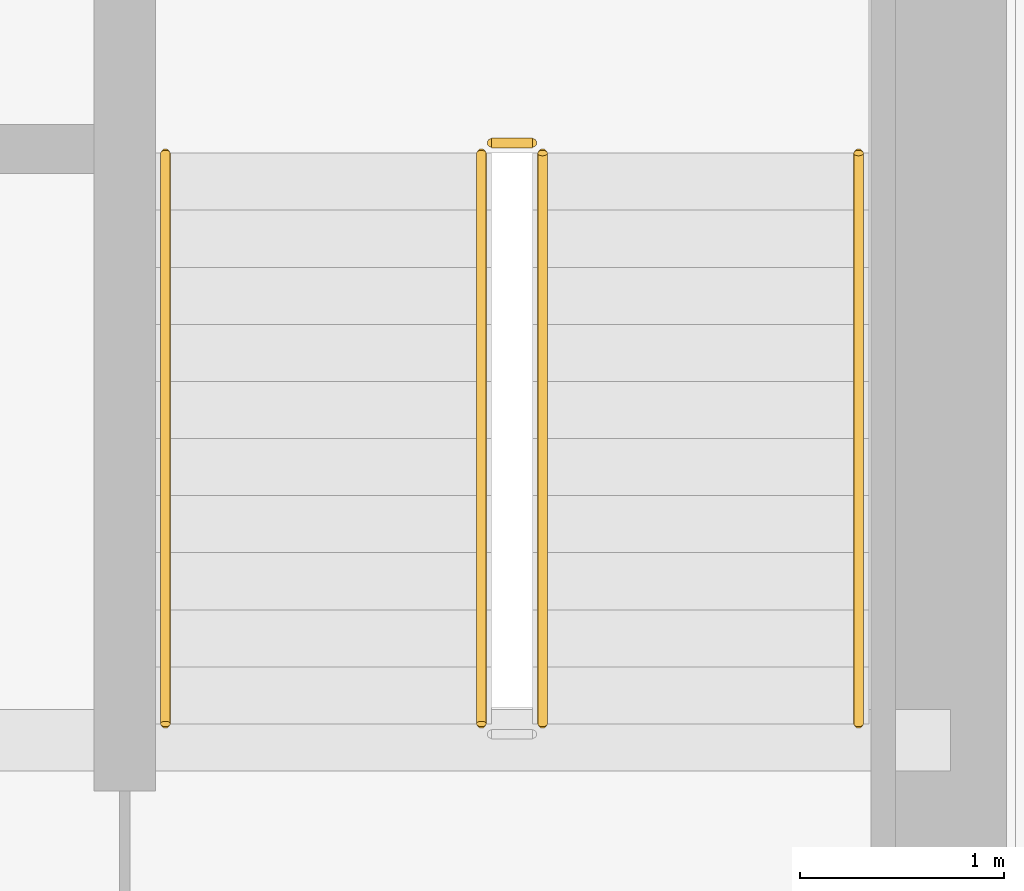
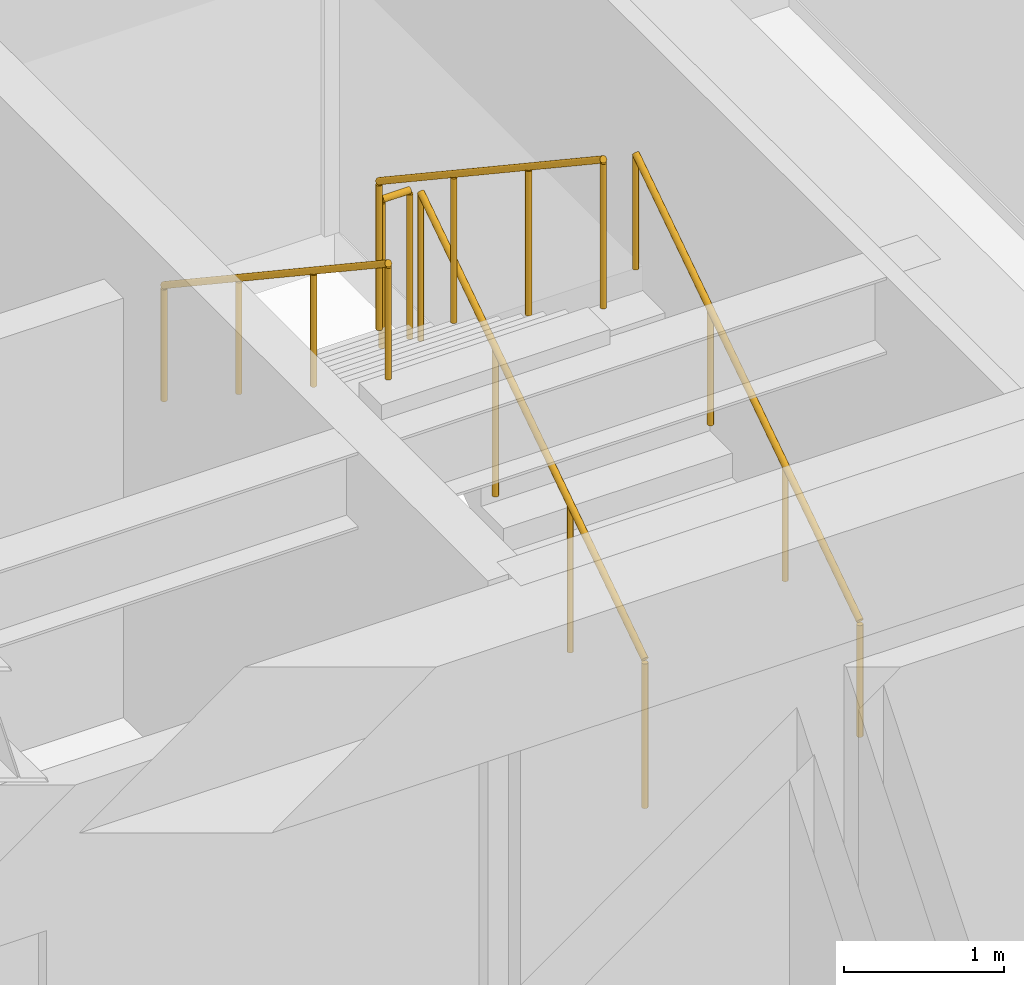
# One storey, part 35 of 36: 5 railings.
"""IFC4 building model written with IfcOpenShell, lengths in metres."""

from ifc_helpers import new_model, si_unit, direction, frame, origin, origin_2d, place, context, subcontext, project, spatial, circle, extrude, source, transform, mapped, material, type_object, type_shapes, element, save


model = new_model("IFC4")

# Units and contexts
model_context = context("Model", 3, precision=1e-05, world=origin(), true_north=direction((0.0, 1.0)))
body_context = subcontext(model_context, "Body", "Model", "MODEL_VIEW")
ifc_project = project(units=[si_unit("LENGTHUNIT", "METRE"), si_unit("AREAUNIT", "SQUARE_METRE"), si_unit("VOLUMEUNIT", "CUBIC_METRE"), si_unit("PLANEANGLEUNIT", "RADIAN"), si_unit("MASSUNIT", "GRAM", prefix="KILO")], contexts=[model_context])

# Site, building, storey
site_placement = place(None, origin())
site = spatial("IfcSite", under=ifc_project, at=site_placement, CompositionType="ELEMENT")
building_placement = place(site_placement, origin())
building = spatial("IfcBuilding", under=site, at=building_placement, Name="Haelvirn Gate Laboratories", CompositionType="ELEMENT")
storey_placement = place(building_placement, frame((0.0, 0.0, 262.89990234375)))
storey = spatial("IfcBuildingStorey", under=building, at=storey_placement, Name="L63", CompositionType="ELEMENT", Elevation=262.89990234375)

# Railings
ifc_material_1 = material(Name="Galvanised steel SM355 & stainless top rail", Category="steel")
railing_type_1 = type_object("IfcRailingType", Name="RL-GUARD-1150", PredefinedType="GUARDRAIL", material=ifc_material_1)
shared_shape_1 = source(origin(), body_context, "Body", "SweptSolid", [
    extrude(circle(Radius=0.02392578125, at=origin_2d()), frame((0.0, 0.0, 1.1259765625), z_axis=(0.0, 0.832485552168, 0.554046753832), x_axis=(-1.0, 0.0, 0.0)), (0.0, 0.0, 1.0), 3.363525390625),
    extrude(circle(Radius=0.02099609375, at=origin_2d()), origin(), (0.0, 0.0, 1.0), 1.101806640625),
    extrude(circle(Radius=0.02099609375, at=origin_2d()), frame((0.0, 0.933349609375, 0.62109375)), (0.0, 0.0, 1.0), 1.101806640625),
    extrude(circle(Radius=0.02099609375, at=origin_2d()), frame((0.0, 1.86669921875, 1.242431640625)), (0.0, 0.0, 1.0), 1.101806640625),
    extrude(circle(Radius=0.02099609375, at=origin_2d()), frame((0.0, 2.800048828125, 1.863525390625)), (0.0, 0.0, 1.0), 1.101806640625),
])
railing_1_placement = place(storey_placement, frame((65.39990234375, 26.699951171875, 0.1865234375)))
element("IfcRailing", 1, at=railing_1_placement, inside=storey, type_object=railing_type_1, Name="L63 ST2 stair guard 1", PredefinedType="GUARDRAIL", context=body_context, shape_type="MappedRepresentation", body=[
    mapped(shared_shape_1, transform((0.0, 0.0, 0.0), scale=1.0)),
])
ifc_material_2 = material(Name="Brushed stainless steel 316L", Category="steel")
railing_type_2 = type_object("IfcRailingType", Name="RL-HAND-920", PredefinedType="HANDRAIL", material=ifc_material_2)
shared_shape_2 = source(origin(), body_context, "Body", "SweptSolid", [
    extrude(circle(Radius=0.02392578125, at=origin_2d()), frame((0.0, 0.0, 0.8759765625), z_axis=(0.0, 0.832485552168, 0.554046753832), x_axis=(-1.0, 0.0, 0.0)), (0.0, 0.0, 1.0), 3.363525390625),
    extrude(circle(Radius=0.02099609375, at=origin_2d()), origin(), (0.0, 0.0, 1.0), 0.851806640625),
    extrude(circle(Radius=0.02099609375, at=origin_2d()), frame((0.0, 0.933349609375, 0.62109375)), (0.0, 0.0, 1.0), 0.851806640625),
    extrude(circle(Radius=0.02099609375, at=origin_2d()), frame((0.0, 1.86669921875, 1.242431640625)), (0.0, 0.0, 1.0), 0.851806640625),
    extrude(circle(Radius=0.02099609375, at=origin_2d()), frame((0.0, 2.800048828125, 1.863525390625)), (0.0, 0.0, 1.0), 0.851806640625),
])
railing_2_placement = place(storey_placement, frame((66.949951171875, 26.699951171875, 0.1865234375)))
element("IfcRailing", 2, at=railing_2_placement, inside=storey, type_object=railing_type_2, Name="L63 ST2 stair handrail 1", PredefinedType="HANDRAIL", context=body_context, shape_type="MappedRepresentation", body=[
    mapped(shared_shape_2, transform((0.0, 0.0, 0.0), scale=1.0)),
])
shared_shape_3 = source(origin(), body_context, "Body", "SweptSolid", [
    extrude(circle(Radius=0.02392578125, at=origin_2d()), frame((0.0, 0.0, 1.1259765625), z_axis=(0.0, -0.832485552168, 0.554046753832), x_axis=(1.0, 0.0, 0.0)), (0.0, 0.0, 1.0), 3.363525390625),
    extrude(circle(Radius=0.02099609375, at=origin_2d()), origin(), (0.0, 0.0, 1.0), 1.101806640625),
    extrude(circle(Radius=0.02099609375, at=origin_2d()), frame((0.0, -0.933349609375, 0.62109375)), (0.0, 0.0, 1.0), 1.101806640625),
    extrude(circle(Radius=0.02099609375, at=origin_2d()), frame((0.0, -1.86669921875, 1.242431640625)), (0.0, 0.0, 1.0), 1.101806640625),
    extrude(circle(Radius=0.02099609375, at=origin_2d()), frame((0.0, -2.800048828125, 1.863525390625)), (0.0, 0.0, 1.0), 1.101806640625),
])
railing_3_placement = place(storey_placement, frame((65.10009765625, 29.5, 2.236572265625)))
element("IfcRailing", 3, at=railing_3_placement, inside=storey, type_object=railing_type_1, Name="L63 ST2 stair guard 3", PredefinedType="GUARDRAIL", context=body_context, shape_type="MappedRepresentation", body=[
    mapped(shared_shape_3, transform((0.0, 0.0, 0.0), scale=1.0)),
])
shared_shape_4 = source(origin(), body_context, "Body", "SweptSolid", [
    extrude(circle(Radius=0.02392578125, at=origin_2d()), frame((0.0, 0.0, 0.8759765625), z_axis=(0.0, -0.832485552168, 0.554046753832), x_axis=(1.0, 0.0, 0.0)), (0.0, 0.0, 1.0), 3.363525390625),
    extrude(circle(Radius=0.02099609375, at=origin_2d()), origin(), (0.0, 0.0, 1.0), 0.851806640625),
    extrude(circle(Radius=0.02099609375, at=origin_2d()), frame((0.0, -0.933349609375, 0.62109375)), (0.0, 0.0, 1.0), 0.851806640625),
    extrude(circle(Radius=0.02099609375, at=origin_2d()), frame((0.0, -1.86669921875, 1.242431640625)), (0.0, 0.0, 1.0), 0.851806640625),
    extrude(circle(Radius=0.02099609375, at=origin_2d()), frame((0.0, -2.800048828125, 1.863525390625)), (0.0, 0.0, 1.0), 0.851806640625),
])
type_shapes(railing_type_2, [shared_shape_2, shared_shape_4])
railing_4_placement = place(storey_placement, frame((63.550048828125, 29.5, 2.236572265625)))
element("IfcRailing", 4, at=railing_4_placement, inside=storey, type_object=railing_type_2, Name="L63 ST2 stair handrail 2", PredefinedType="HANDRAIL", context=body_context, shape_type="MappedRepresentation", body=[
    mapped(shared_shape_4, transform((0.0, 0.0, 0.0), scale=1.0)),
])
shared_shape_5 = source(origin(), body_context, "Body", "SweptSolid", [
    extrude(circle(Radius=0.02392578125, at=origin_2d()), frame((0.0, 0.0, 1.1259765625), z_axis=(-1.0, 0.0, 0.0), x_axis=(0.0, -1.0, 0.0)), (0.0, 0.0, 1.0), 0.2001953125),
    extrude(circle(Radius=0.02099609375, at=origin_2d()), origin(), (0.0, 0.0, 1.0), 1.101806640625),
    extrude(circle(Radius=0.02099609375, at=origin_2d()), frame((-0.2001953125, 0.0, 0.0)), (0.0, 0.0, 1.0), 1.101806640625),
])
type_shapes(railing_type_1, [shared_shape_1, shared_shape_3, shared_shape_5])
railing_5_placement = place(storey_placement, frame((65.35009765625, 29.550048828125, 2.050048828125)))
element("IfcRailing", 5, at=railing_5_placement, inside=storey, type_object=railing_type_1, Name="L63 ST2 stair guard 2", PredefinedType="GUARDRAIL", context=body_context, shape_type="MappedRepresentation", body=[
    mapped(shared_shape_5, transform((0.0, 0.0, 0.0), scale=1.0)),
])

save(model, "model.ifc")
